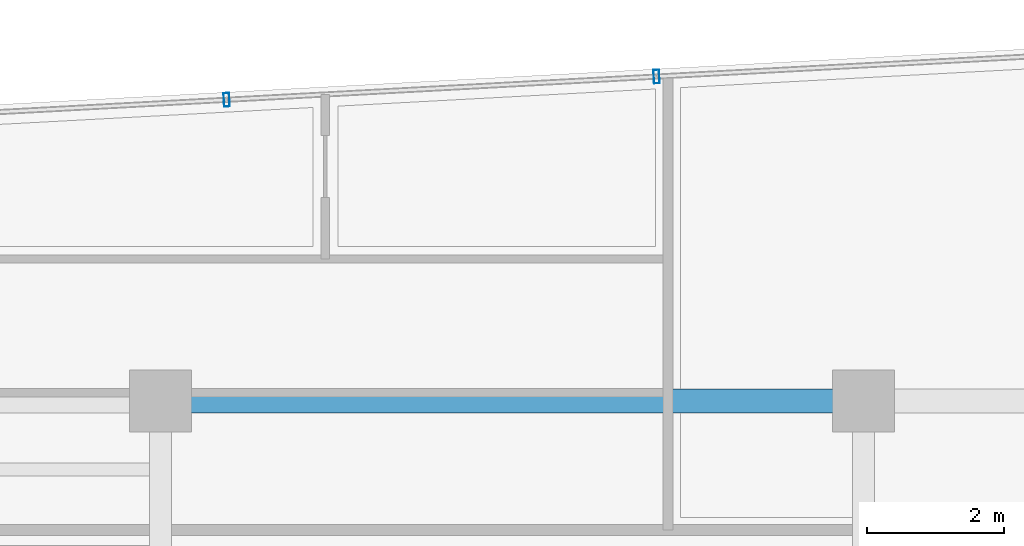
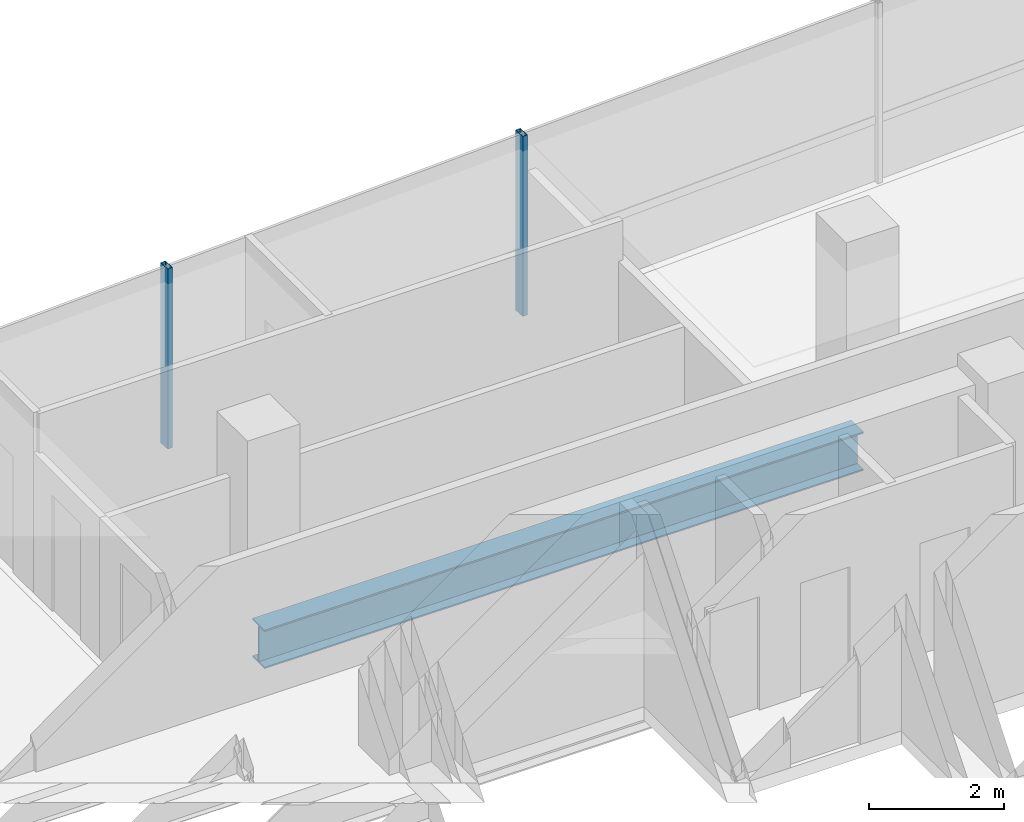
# One storey, part 12 of 22: 2 members, 1 beam, 1 element without a shape of its own.
"""IFC4 building model written with IfcOpenShell, lengths in metres."""

from ifc_helpers import new_model, si_unit, direction, frame, origin, origin_2d, place, context, subcontext, project, spatial, hollow_rectangle, i_section, extrude, source, transform, mapped, material, material_profile, profile_set, type_object, element, aggregate, save


model = new_model("IFC4")

# Units and contexts
model_context = context("Model", 3, precision=1e-05, world=origin(), true_north=direction((0.0, 1.0)))
body_context = subcontext(model_context, "Body", "Model", "MODEL_VIEW")
ifc_project = project(units=[si_unit("LENGTHUNIT", "METRE"), si_unit("AREAUNIT", "SQUARE_METRE"), si_unit("VOLUMEUNIT", "CUBIC_METRE"), si_unit("PLANEANGLEUNIT", "RADIAN"), si_unit("MASSUNIT", "GRAM", prefix="KILO")], contexts=[model_context])

# Site, building, storey
site_placement = place(None, origin())
site = spatial("IfcSite", under=ifc_project, at=site_placement, CompositionType="ELEMENT")
building_placement = place(site_placement, origin())
building = spatial("IfcBuilding", under=site, at=building_placement, Name="Valdorenza Pilgrim Sanctuary Tower", CompositionType="ELEMENT")
storey_placement = place(building_placement, frame((0.0, 0.0, 209.0)))
storey = spatial("IfcBuildingStorey", under=building, at=storey_placement, Name="L53", CompositionType="ELEMENT", Elevation=209.0)

# Beam
ifc_material_1 = material(Name="Steel ASTM A992 Grade 50", Category="steel")
ifc_material_profile_1 = material_profile(ifc_material_1, i_section(OverallWidth=0.35595703125, OverallDepth=0.700927734375, WebThickness=0.016845703125, FlangeThickness=0.02734375, at=origin_2d()), Name="W27X161")
ifc_profile_set_1 = profile_set([ifc_material_profile_1], Name="Steel ASTM A992 Grade 50")
beam_type = type_object("IfcBeamType", Name="STR-BM-GRD-W27", PredefinedType="BEAM", material=ifc_profile_set_1)
shared_shape_1 = source(origin(), body_context, "Body", "SweptSolid", [
    extrude(i_section(OverallWidth=0.35595703125, OverallDepth=0.700927734375, WebThickness=0.016845703125, FlangeThickness=0.02734375, at=origin_2d()), origin(), (0.0, 0.0, 1.0), 10.25),
])
beam_placement = place(storey_placement, frame((-22.64990234375, 14.800048828125, -0.590576171875), z_axis=(1.0, 0.0, 0.0), x_axis=(0.0, 1.0, 0.0)))
element("IfcBeam", 1, at=beam_placement, inside=storey, type_object=beam_type, Name="L53 Floor Girder CA-XC-N2", PredefinedType="BEAM", context=body_context, shape_type="MappedRepresentation", body=[
    mapped(shared_shape_1, transform((0.0, 0.0, 0.0), x_axis=(1.0, 0.0, 0.0), y_axis=(0.0, 1.0, 0.0), z_axis=(0.0, 0.0, 1.0), scale=1.0)),
])

# Curtain wall, members
ifc_material_2 = material(Name="Curtain-wall IGU glazing", Category="glass")
curtain_wall_type = type_object("IfcCurtainWallType", Name="CW-SYS-02", PredefinedType="NOTDEFINED", material=ifc_material_2)
curtain_wall_placement = place(storey_placement, origin())
curtain_wall = element("IfcCurtainWall", 2, at=curtain_wall_placement, inside=storey, type_object=curtain_wall_type, Name="L53 Curtain Wall CW-L53-1-6", PredefinedType="NOTDEFINED")
ifc_material_3 = material(Name="Anodised aluminium AW-6060", Category="aluminium")
ifc_material_profile_2 = material_profile(ifc_material_3, hollow_rectangle(XDim=0.0849609375, YDim=0.199951171875, WallThickness=0.0048828125, at=origin_2d()), Name="ALU-M 200x85x5")
ifc_profile_set_2 = profile_set([ifc_material_profile_2], Name="Anodised aluminium AW-6060")
member_type = type_object("IfcMemberType", Name="CW-MUL-02", PredefinedType="MULLION", material=ifc_profile_set_2)
shared_shape_2 = source(origin(), body_context, "Body", "SweptSolid", [
    extrude(hollow_rectangle(XDim=0.0849609375, YDim=0.199951171875, WallThickness=0.0048828125, at=origin_2d()), origin(), (0.0, 0.0, 1.0), 3.260009765625),
])
member_1_placement = place(storey_placement, frame((-21.686279296875, 19.1923828125, 0.0), z_axis=(0.0, 0.0, 1.0), x_axis=(0.998547034311, 0.053887106711, 0.0)))
member_1 = element("IfcMember", 3, at=member_1_placement, type_object=member_type, Name="CW-L53-1-6 Mullion 2", PredefinedType="MULLION", context=body_context, shape_type="MappedRepresentation", body=[
    mapped(shared_shape_2, transform((0.0, 0.0, 0.0), x_axis=(1.0, 0.0, 0.0), y_axis=(0.0, 1.0, 0.0), z_axis=(0.0, 0.0, 1.0), scale=1.0)),
])
member_2_placement = place(storey_placement, frame((-15.4169921875, 19.531005859375, 0.0), z_axis=(0.0, 0.0, 1.0), x_axis=(0.998547034311, 0.053887106711, 0.0)))
member_2 = element("IfcMember", 4, at=member_2_placement, type_object=member_type, Name="CW-L53-1-6 Mullion 3", PredefinedType="MULLION", context=body_context, shape_type="MappedRepresentation", body=[
    mapped(shared_shape_2, transform((0.0, 0.0, 0.0), x_axis=(1.0, 0.0, 0.0), y_axis=(0.0, 1.0, 0.0), z_axis=(0.0, 0.0, 1.0), scale=1.0)),
])
aggregate(curtain_wall, [member_1, member_2])

save(model, "model.ifc")
